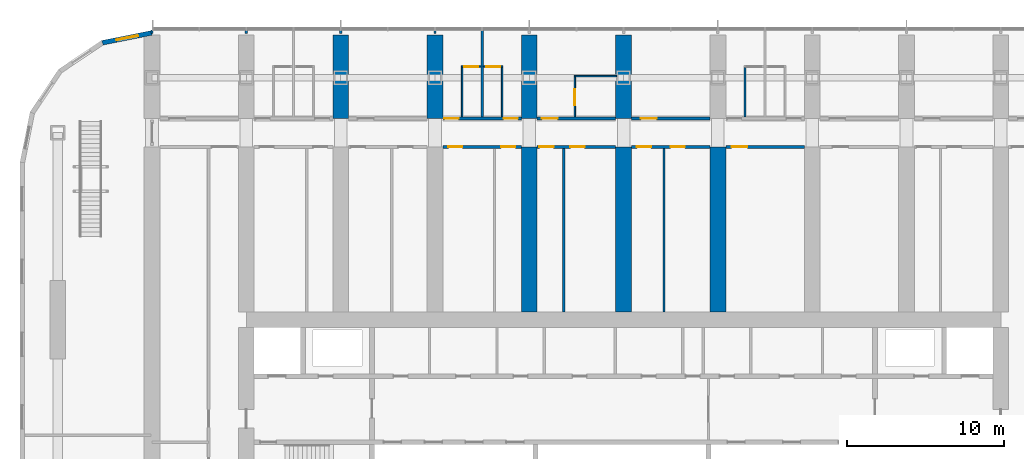
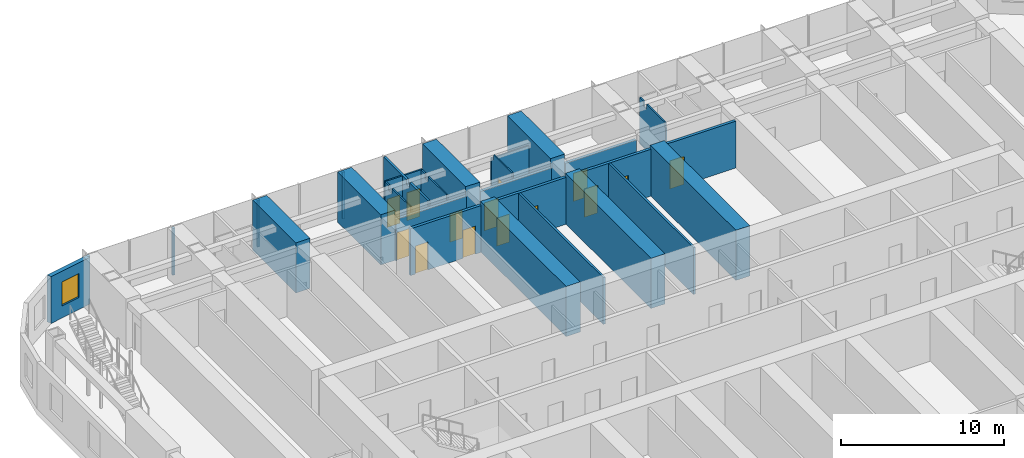
# One storey, part 17 of 26: 29 walls, 14 doors, 1 window, 15 openings.
"""IFC4 building model written with IfcOpenShell, lengths in metres."""

from ifc_helpers import new_model, si_unit, direction, frame, frame_2d, origin, place, context, subcontext, project, spatial, polyline, rectangle, outline, extrude, material, layer, layer_set, type_object, element, fill, save


model = new_model("IFC4")

# Units and contexts
model_context = context("Model", 3, precision=1e-05, world=origin(), true_north=direction((0.0, 1.0)))
body_context = subcontext(model_context, "Body", "Model", "MODEL_VIEW")
ifc_project = project(units=[si_unit("LENGTHUNIT", "METRE"), si_unit("AREAUNIT", "SQUARE_METRE"), si_unit("VOLUMEUNIT", "CUBIC_METRE"), si_unit("PLANEANGLEUNIT", "RADIAN"), si_unit("MASSUNIT", "GRAM", prefix="KILO")], contexts=[model_context])

# Site, building, storey
site_placement = place(None, origin())
site = spatial("IfcSite", under=ifc_project, at=site_placement, CompositionType="ELEMENT")
building_placement = place(site_placement, origin())
building = spatial("IfcBuilding", under=site, at=building_placement, Name="Orbita Commons", CompositionType="ELEMENT")
storey_placement = place(building_placement, frame((0.0, 0.0, 53.949951171875)))
storey = spatial("IfcBuildingStorey", under=building, at=storey_placement, Name="L13", CompositionType="ELEMENT", Elevation=53.949951171875)

# Wall, openings, doors
ifc_material_1 = material(Name="Concrete blockwork", Category="masonry")
ifc_layer_1 = layer(ifc_material_1, 0.199951171875)
ifc_layer_set_1 = layer_set([ifc_layer_1], Name="Concrete blockwork")
wall_type_1 = type_object("IfcWallType", Name="Corridor wall 200 blockwork", PredefinedType="SOLIDWALL", material=ifc_layer_set_1)
wall_1_placement = place(storey_placement, frame((30.5, 51.0, 0.0), z_axis=(0.0, 0.0, 1.0), x_axis=(1.0, 0.0, 0.0)))
wall_1 = element("IfcWall", 1, at=wall_1_placement, inside=storey, type_object=wall_type_1, Name="Corridor wall 200 blockwork L13", PredefinedType="SOLIDWALL", context=body_context, shape_type="SweptSolid", body=[
    extrude(outline(polyline([(0.0, 0.0), (5.0, 0.0), (5.0, 3.10009765625), (0.0, 3.10009765625), (0.0, 0.0)])), frame((0.0, 0.10009765625, 0.0), z_axis=(0.0, -1.0, 0.0), x_axis=(1.0, 0.0, 0.0)), (0.0, 0.0, 1.0), 0.199951171875),
])
opening_1_placement = place(wall_1_placement, frame((0.10009765625, 0.0, 0.0)))
opening_1 = element("IfcOpeningElement", 2, at=opening_1_placement, cuts=wall_1, Name="Opening D11", PredefinedType="OPENING", context=body_context, shape_type="SweptSolid", body=[
    extrude(rectangle(XDim=0.89990234375, YDim=2.10009765625, at=frame_2d((0.449951171875, 1.050048828125))), frame((0.0, 0.10986328125, 0.0), z_axis=(0.0, -1.0, 0.0), x_axis=(1.0, 0.0, 0.0)), (0.0, 0.0, 1.0), 0.219970703125),
])
opening_2_placement = place(wall_1_placement, frame((3.875, 0.0, 0.0)))
opening_2 = element("IfcOpeningElement", 3, at=opening_2_placement, cuts=wall_1, Name="Opening D11", PredefinedType="OPENING", context=body_context, shape_type="SweptSolid", body=[
    extrude(rectangle(XDim=0.89990234375, YDim=2.10009765625, at=frame_2d((0.449951171875, 1.050048828125))), frame((0.0, 0.10986328125, 0.0), z_axis=(0.0, -1.0, 0.0), x_axis=(1.0, 0.0, 0.0)), (0.0, 0.0, 1.0), 0.219970703125),
])
ifc_material_2 = material(Name="Steel-faced fire door leaf", Category="steel")
door_type_1 = type_object("IfcDoorType", Name="Corridor door 20 min 900x2100", OperationType="SINGLE_SWING_LEFT", PredefinedType="DOOR", material=ifc_material_2)
door_1_placement = place(opening_1_placement, origin())
door_1 = element("IfcDoor", 4, at=door_1_placement, inside=storey, type_object=door_type_1, Name="House bedroom L13-N06 door", OperationType="SINGLE_SWING_LEFT", OverallHeight=2.10009765625, OverallWidth=0.89990234375, PredefinedType="DOOR", context=body_context, shape_type="SweptSolid", body=[
    extrude(rectangle(XDim=0.89990234375, YDim=2.10009765625, at=frame_2d((0.449951171875, 1.050048828125))), frame((0.0, 0.02490234375, 0.0), z_axis=(0.0, -1.0, 0.0), x_axis=(1.0, 0.0, 0.0)), (0.0, 0.0, 1.0), 0.050048828125),
])
fill(opening_1, door_1)
door_2_placement = place(opening_2_placement, origin())
door_2 = element("IfcDoor", 5, at=door_2_placement, inside=storey, type_object=door_type_1, Name="House bedroom L13-N07 door", OperationType="SINGLE_SWING_LEFT", OverallHeight=2.10009765625, OverallWidth=0.89990234375, PredefinedType="DOOR", context=body_context, shape_type="SweptSolid", body=[
    extrude(rectangle(XDim=0.89990234375, YDim=2.10009765625, at=frame_2d((0.449951171875, 1.050048828125))), frame((0.0, 0.02490234375, 0.0), z_axis=(0.0, -1.0, 0.0), x_axis=(1.0, 0.0, 0.0)), (0.0, 0.0, 1.0), 0.050048828125),
])
fill(opening_2, door_2)

# Wall, opening, door
wall_2_placement = place(storey_placement, frame((36.5, 51.0, 0.0), z_axis=(0.0, 0.0, 1.0), x_axis=(1.0, 0.0, 0.0)))
wall_2 = element("IfcWall", 6, at=wall_2_placement, inside=storey, type_object=wall_type_1, Name="Corridor wall 200 blockwork L13", PredefinedType="SOLIDWALL", context=body_context, shape_type="SweptSolid", body=[
    extrude(outline(polyline([(0.0, 0.0), (5.0, 0.0), (5.0, 3.10009765625), (0.0, 3.10009765625), (0.0, 0.0)])), frame((0.0, 0.10009765625, 0.0), z_axis=(0.0, -1.0, 0.0), x_axis=(1.0, 0.0, 0.0)), (0.0, 0.0, 1.0), 0.199951171875),
])
opening_3_placement = place(wall_2_placement, frame((0.300048828125, 0.0, 0.0)))
opening_3 = element("IfcOpeningElement", 7, at=opening_3_placement, cuts=wall_2, Name="Opening D06", PredefinedType="OPENING", context=body_context, shape_type="SweptSolid", body=[
    extrude(rectangle(XDim=1.0, YDim=2.10009765625, at=frame_2d((0.5, 1.050048828125))), frame((0.0, 0.10986328125, 0.0), z_axis=(0.0, -1.0, 0.0), x_axis=(1.0, 0.0, 0.0)), (0.0, 0.0, 1.0), 0.219970703125),
])
ifc_material_3 = material(Name="Steel-faced fire door leaf", Category="steel")
door_type_2 = type_object("IfcDoorType", Name="Corridor door 20 min 1000x2100", OperationType="SINGLE_SWING_LEFT", PredefinedType="DOOR", material=ifc_material_3)
door_3_placement = place(opening_3_placement, origin())
door_3 = element("IfcDoor", 8, at=door_3_placement, inside=storey, type_object=door_type_2, Name="Accessible bedroom L13-N08 door", OperationType="SINGLE_SWING_LEFT", OverallHeight=2.10009765625, OverallWidth=1.0, PredefinedType="DOOR", context=body_context, shape_type="SweptSolid", body=[
    extrude(rectangle(XDim=1.0, YDim=2.10009765625, at=frame_2d((0.5, 1.050048828125))), frame((0.0, 0.02490234375, 0.0), z_axis=(0.0, -1.0, 0.0), x_axis=(1.0, 0.0, 0.0)), (0.0, 0.0, 1.0), 0.050048828125),
])
fill(opening_3, door_3)

wall_3_placement = place(storey_placement, frame((42.5, 51.0, 0.0), z_axis=(0.0, 0.0, 1.0), x_axis=(1.0, 0.0, 0.0)))
wall_3 = element("IfcWall", 9, at=wall_3_placement, inside=storey, type_object=wall_type_1, Name="Corridor wall 200 blockwork L13", PredefinedType="SOLIDWALL", context=body_context, shape_type="SweptSolid", body=[
    extrude(outline(polyline([(0.0, 0.0), (5.0, 0.0), (5.0, 3.10009765625), (0.0, 3.10009765625), (0.0, 0.0)])), frame((0.0, 0.10009765625, 0.0), z_axis=(0.0, -1.0, 0.0), x_axis=(1.0, 0.0, 0.0)), (0.0, 0.0, 1.0), 0.199951171875),
])
opening_4_placement = place(wall_3_placement, frame((0.60009765625, 0.0, 0.0)))
opening_4 = element("IfcOpeningElement", 10, at=opening_4_placement, cuts=wall_3, Name="Opening D06", PredefinedType="OPENING", context=body_context, shape_type="SweptSolid", body=[
    extrude(rectangle(XDim=1.0, YDim=2.10009765625, at=frame_2d((0.5, 1.050048828125))), frame((0.0, 0.10986328125, 0.0), z_axis=(0.0, -1.0, 0.0), x_axis=(1.0, 0.0, 0.0)), (0.0, 0.0, 1.0), 0.219970703125),
])
door_4_placement = place(opening_4_placement, origin())
door_4 = element("IfcDoor", 11, at=door_4_placement, inside=storey, type_object=door_type_2, Name="House common room L13-N10 door", OperationType="SINGLE_SWING_LEFT", OverallHeight=2.10009765625, OverallWidth=1.0, PredefinedType="DOOR", context=body_context, shape_type="SweptSolid", body=[
    extrude(rectangle(XDim=1.0, YDim=2.10009765625, at=frame_2d((0.5, 1.050048828125))), frame((0.0, 0.02490234375, 0.0), z_axis=(0.0, -1.0, 0.0), x_axis=(1.0, 0.0, 0.0)), (0.0, 0.0, 1.0), 0.050048828125),
])
fill(opening_4, door_4)

# Wall, openings, doors
ifc_material_4 = material(Name="Hollow concrete block 200", Category="concrete")
ifc_layer_2 = layer(ifc_material_4, 0.199951171875)
ifc_layer_set_2 = layer_set([ifc_layer_2], Name="Hollow concrete block 200")
wall_type_2 = type_object("IfcWallType", Name="Corridor wall 200 hollow concrete block", PredefinedType="SOLIDWALL", material=ifc_layer_set_2)
wall_4_placement = place(storey_placement, frame((30.5, 49.199951171875, 0.0), z_axis=(0.0, 0.0, 1.0), x_axis=(1.0, 0.0, 0.0)))
wall_4 = element("IfcWall", 12, at=wall_4_placement, inside=storey, type_object=wall_type_2, Name="Corridor wall 200 hollow concrete block L13", PredefinedType="SOLIDWALL", context=body_context, shape_type="SweptSolid", body=[
    extrude(rectangle(XDim=5.0, YDim=0.199951171875, at=frame_2d((2.5, 0.0))), origin(), (0.0, 0.0, 1.0), 3.5),
])
opening_5_placement = place(wall_4_placement, frame((0.35009765625, 0.0, 0.0)))
opening_5 = element("IfcOpeningElement", 13, at=opening_5_placement, cuts=wall_4, Name="Opening D11", PredefinedType="OPENING", context=body_context, shape_type="SweptSolid", body=[
    extrude(rectangle(XDim=0.89990234375, YDim=2.10009765625, at=frame_2d((0.449951171875, 1.050048828125))), frame((0.0, 0.10986328125, 0.0), z_axis=(0.0, -1.0, 0.0), x_axis=(1.0, 0.0, 0.0)), (0.0, 0.0, 1.0), 0.219970703125),
])
opening_6_placement = place(wall_4_placement, frame((3.7099609375, 0.0, 0.0)))
opening_6 = element("IfcOpeningElement", 14, at=opening_6_placement, cuts=wall_4, Name="Opening D11", PredefinedType="OPENING", context=body_context, shape_type="SweptSolid", body=[
    extrude(rectangle(XDim=0.89990234375, YDim=2.10009765625, at=frame_2d((0.449951171875, 1.050048828125))), frame((0.0, 0.10986328125, 0.0), z_axis=(0.0, -1.0, 0.0), x_axis=(1.0, 0.0, 0.0)), (0.0, 0.0, 1.0), 0.219970703125),
])
door_5_placement = place(opening_5_placement, origin())
door_5 = element("IfcDoor", 15, at=door_5_placement, inside=storey, type_object=door_type_1, Name="Ventilation plant room north L13-BDN30 door", OperationType="SINGLE_SWING_LEFT", OverallHeight=2.10009765625, OverallWidth=0.89990234375, PredefinedType="DOOR", context=body_context, shape_type="SweptSolid", body=[
    extrude(rectangle(XDim=0.89990234375, YDim=2.10009765625, at=frame_2d((0.449951171875, 1.050048828125))), frame((0.0, 0.02490234375, 0.0), z_axis=(0.0, -1.0, 0.0), x_axis=(1.0, 0.0, 0.0)), (0.0, 0.0, 1.0), 0.050048828125),
])
fill(opening_5, door_5)
door_6_placement = place(opening_6_placement, origin())
door_6 = element("IfcDoor", 16, at=door_6_placement, inside=storey, type_object=door_type_1, Name="Battery and UPS room L13-BDN30n door", OperationType="SINGLE_SWING_LEFT", OverallHeight=2.10009765625, OverallWidth=0.89990234375, PredefinedType="DOOR", context=body_context, shape_type="SweptSolid", body=[
    extrude(rectangle(XDim=0.89990234375, YDim=2.10009765625, at=frame_2d((0.449951171875, 1.050048828125))), frame((0.0, 0.02490234375, 0.0), z_axis=(0.0, -1.0, 0.0), x_axis=(1.0, 0.0, 0.0)), (0.0, 0.0, 1.0), 0.050048828125),
])
fill(opening_6, door_6)

wall_5_placement = place(storey_placement, frame((36.5, 49.199951171875, 0.0), z_axis=(0.0, 0.0, 1.0), x_axis=(1.0, 0.0, 0.0)))
wall_5 = element("IfcWall", 17, at=wall_5_placement, inside=storey, type_object=wall_type_2, Name="Corridor wall 200 hollow concrete block L13", PredefinedType="SOLIDWALL", context=body_context, shape_type="SweptSolid", body=[
    extrude(rectangle(XDim=5.0, YDim=0.199951171875, at=frame_2d((2.5, 0.0))), origin(), (0.0, 0.0, 1.0), 3.5),
])
opening_7_placement = place(wall_5_placement, frame((0.14990234375, 0.0, 0.0)))
opening_7 = element("IfcOpeningElement", 18, at=opening_7_placement, cuts=wall_5, Name="Opening D11", PredefinedType="OPENING", context=body_context, shape_type="SweptSolid", body=[
    extrude(rectangle(XDim=0.89990234375, YDim=2.10009765625, at=frame_2d((0.449951171875, 1.050048828125))), frame((0.0, 0.10986328125, 0.0), z_axis=(0.0, -1.0, 0.0), x_axis=(1.0, 0.0, 0.0)), (0.0, 0.0, 1.0), 0.219970703125),
])
opening_8_placement = place(wall_5_placement, frame((2.1201171875, 0.0, 0.0)))
opening_8 = element("IfcOpeningElement", 19, at=opening_8_placement, cuts=wall_5, Name="Opening D11", PredefinedType="OPENING", context=body_context, shape_type="SweptSolid", body=[
    extrude(rectangle(XDim=0.89990234375, YDim=2.10009765625, at=frame_2d((0.449951171875, 1.050048828125))), frame((0.0, 0.10986328125, 0.0), z_axis=(0.0, -1.0, 0.0), x_axis=(1.0, 0.0, 0.0)), (0.0, 0.0, 1.0), 0.219970703125),
])
door_7_placement = place(opening_7_placement, origin())
door_7 = element("IfcDoor", 20, at=door_7_placement, inside=storey, type_object=door_type_1, Name="Sprinkler valve room L13-BDN36n door", OperationType="SINGLE_SWING_LEFT", OverallHeight=2.10009765625, OverallWidth=0.89990234375, PredefinedType="DOOR", context=body_context, shape_type="SweptSolid", body=[
    extrude(rectangle(XDim=0.89990234375, YDim=2.10009765625, at=frame_2d((0.449951171875, 1.050048828125))), frame((0.0, 0.02490234375, 0.0), z_axis=(0.0, -1.0, 0.0), x_axis=(1.0, 0.0, 0.0)), (0.0, 0.0, 1.0), 0.050048828125),
])
fill(opening_7, door_7)
door_8_placement = place(opening_8_placement, origin())
door_8 = element("IfcDoor", 21, at=door_8_placement, inside=storey, type_object=door_type_1, Name="Furniture store L13-BDN36 door", OperationType="SINGLE_SWING_LEFT", OverallHeight=2.10009765625, OverallWidth=0.89990234375, PredefinedType="DOOR", context=body_context, shape_type="SweptSolid", body=[
    extrude(rectangle(XDim=0.89990234375, YDim=2.10009765625, at=frame_2d((0.449951171875, 1.050048828125))), frame((0.0, 0.02490234375, 0.0), z_axis=(0.0, -1.0, 0.0), x_axis=(1.0, 0.0, 0.0)), (0.0, 0.0, 1.0), 0.050048828125),
])
fill(opening_8, door_8)

wall_6_placement = place(storey_placement, frame((42.5, 49.199951171875, 0.0), z_axis=(0.0, 0.0, 1.0), x_axis=(1.0, 0.0, 0.0)))
wall_6 = element("IfcWall", 22, at=wall_6_placement, inside=storey, type_object=wall_type_2, Name="Corridor wall 200 hollow concrete block L13", PredefinedType="SOLIDWALL", context=body_context, shape_type="SweptSolid", body=[
    extrude(rectangle(XDim=5.0, YDim=0.199951171875, at=frame_2d((2.5, 0.0))), origin(), (0.0, 0.0, 1.0), 3.5),
])
opening_9_placement = place(wall_6_placement, frame((0.35009765625, 0.0, 0.0)))
opening_9 = element("IfcOpeningElement", 23, at=opening_9_placement, cuts=wall_6, Name="Opening D11", PredefinedType="OPENING", context=body_context, shape_type="SweptSolid", body=[
    extrude(rectangle(XDim=0.89990234375, YDim=2.10009765625, at=frame_2d((0.449951171875, 1.050048828125))), frame((0.0, 0.10986328125, 0.0), z_axis=(0.0, -1.0, 0.0), x_axis=(1.0, 0.0, 0.0)), (0.0, 0.0, 1.0), 0.219970703125),
])
opening_10_placement = place(wall_6_placement, frame((2.4951171875, 0.0, 0.0)))
opening_10 = element("IfcOpeningElement", 24, at=opening_10_placement, cuts=wall_6, Name="Opening D11", PredefinedType="OPENING", context=body_context, shape_type="SweptSolid", body=[
    extrude(rectangle(XDim=0.89990234375, YDim=2.10009765625, at=frame_2d((0.449951171875, 1.050048828125))), frame((0.0, 0.10986328125, 0.0), z_axis=(0.0, -1.0, 0.0), x_axis=(1.0, 0.0, 0.0)), (0.0, 0.0, 1.0), 0.219970703125),
])
door_9_placement = place(opening_9_placement, origin())
door_9 = element("IfcDoor", 25, at=door_9_placement, inside=storey, type_object=door_type_1, Name="Battery and UPS room L13-BDN42n door", OperationType="SINGLE_SWING_LEFT", OverallHeight=2.10009765625, OverallWidth=0.89990234375, PredefinedType="DOOR", context=body_context, shape_type="SweptSolid", body=[
    extrude(rectangle(XDim=0.89990234375, YDim=2.10009765625, at=frame_2d((0.449951171875, 1.050048828125))), frame((0.0, 0.02490234375, 0.0), z_axis=(0.0, -1.0, 0.0), x_axis=(1.0, 0.0, 0.0)), (0.0, 0.0, 1.0), 0.050048828125),
])
fill(opening_9, door_9)
door_10_placement = place(opening_10_placement, origin())
door_10 = element("IfcDoor", 26, at=door_10_placement, inside=storey, type_object=door_type_1, Name="Bulk and luggage store L13-BDN42 door", OperationType="SINGLE_SWING_LEFT", OverallHeight=2.10009765625, OverallWidth=0.89990234375, PredefinedType="DOOR", context=body_context, shape_type="SweptSolid", body=[
    extrude(rectangle(XDim=0.89990234375, YDim=2.10009765625, at=frame_2d((0.449951171875, 1.050048828125))), frame((0.0, 0.02490234375, 0.0), z_axis=(0.0, -1.0, 0.0), x_axis=(1.0, 0.0, 0.0)), (0.0, 0.0, 1.0), 0.050048828125),
])
fill(opening_10, door_10)

# Wall, opening, door
wall_7_placement = place(storey_placement, frame((48.5, 49.199951171875, 0.0), z_axis=(0.0, 0.0, 1.0), x_axis=(1.0, 0.0, 0.0)))
wall_7 = element("IfcWall", 27, at=wall_7_placement, inside=storey, type_object=wall_type_2, Name="Corridor wall 200 hollow concrete block L13", PredefinedType="SOLIDWALL", context=body_context, shape_type="SweptSolid", body=[
    extrude(rectangle(XDim=5.0, YDim=0.199951171875, at=frame_2d((2.5, 0.0))), origin(), (0.0, 0.0, 1.0), 3.5),
])
opening_11_placement = place(wall_7_placement, frame((0.375, 0.0, 0.0)))
opening_11 = element("IfcOpeningElement", 28, at=opening_11_placement, cuts=wall_7, Name="Opening D06", PredefinedType="OPENING", context=body_context, shape_type="SweptSolid", body=[
    extrude(rectangle(XDim=1.0, YDim=2.10009765625, at=frame_2d((0.5, 1.050048828125))), frame((0.0, 0.10986328125, 0.0), z_axis=(0.0, -1.0, 0.0), x_axis=(1.0, 0.0, 0.0)), (0.0, 0.0, 1.0), 0.219970703125),
])
door_11_placement = place(opening_11_placement, origin())
door_11 = element("IfcDoor", 29, at=door_11_placement, inside=storey, type_object=door_type_2, Name="IT and print room L13-BDN48 door", OperationType="SINGLE_SWING_LEFT", OverallHeight=2.10009765625, OverallWidth=1.0, PredefinedType="DOOR", context=body_context, shape_type="SweptSolid", body=[
    extrude(rectangle(XDim=1.0, YDim=2.10009765625, at=frame_2d((0.5, 1.050048828125))), frame((0.0, 0.02490234375, 0.0), z_axis=(0.0, -1.0, 0.0), x_axis=(1.0, 0.0, 0.0)), (0.0, 0.0, 1.0), 0.050048828125),
])
fill(opening_11, door_11)

# Walls
ifc_material_5 = material(Name="Concrete C50/60", Category="concrete")
ifc_layer_3 = layer(ifc_material_5, 1.0)
ifc_layer_set_3 = layer_set([ifc_layer_3], Name="Concrete C50/60")
wall_type_3 = type_object("IfcWallType", Name="Cross wall 1000 C50/60", PredefinedType="SHEAR", material=ifc_layer_set_3)
for number, where, z_axis, x_axis, name in (
    (30, (24.0, 51.0, 0.0), (0.0, 0.0, 1.0), (0.0, 1.0, 0.0), "Cross wall 5 north outer L13"),
    (31, (30.0, 51.0, 0.0), (0.0, 0.0, 1.0), (0.0, 1.0, 0.0), "Cross wall 6 north outer L13"),
    (32, (36.0, 51.0, 0.0), (0.0, 0.0, 1.0), (0.0, 1.0, 0.0), "Cross wall 7 north outer L13"),
):
    element("IfcWall", number, at=place(storey_placement, frame(where, z_axis=z_axis, x_axis=x_axis)), inside=storey, type_object=wall_type_3, Name=name, PredefinedType="SHEAR", context=body_context, shape_type="SweptSolid", body=[
        extrude(rectangle(XDim=5.300048828125, YDim=1.0, at=frame_2d((2.64990234375, 0.0))), origin(), (0.0, 0.0, 1.0), 3.75),
    ])
wall_8_placement = place(storey_placement, frame((36.0, 38.699951171875, 0.0), z_axis=(0.0, 0.0, 1.0), x_axis=(0.0, 1.0, 0.0)))
element("IfcWall", 33, at=wall_8_placement, inside=storey, type_object=wall_type_3, Name="Cross wall 7 north inner L13", PredefinedType="SHEAR", context=body_context, shape_type="SweptSolid", body=[
    extrude(rectangle(XDim=10.5, YDim=1.0, at=frame_2d((5.25, 0.0))), origin(), (0.0, 0.0, 1.0), 3.75),
])
wall_9_placement = place(storey_placement, frame((42.0, 51.0, 0.0), z_axis=(0.0, 0.0, 1.0), x_axis=(0.0, 1.0, 0.0)))
element("IfcWall", 34, at=wall_9_placement, inside=storey, type_object=wall_type_3, Name="Cross wall 8 north outer L13", PredefinedType="SHEAR", context=body_context, shape_type="SweptSolid", body=[
    extrude(rectangle(XDim=5.300048828125, YDim=1.0, at=frame_2d((2.64990234375, 0.0))), origin(), (0.0, 0.0, 1.0), 3.75),
])
for number, where, z_axis, x_axis, name in (
    (35, (42.0, 38.699951171875, 0.0), (0.0, 0.0, 1.0), (0.0, 1.0, 0.0), "Cross wall 8 north inner L13"),
    (36, (48.0, 38.699951171875, 0.0), (0.0, 0.0, 1.0), (0.0, 1.0, 0.0), "Cross wall 9 north inner L13"),
):
    element("IfcWall", number, at=place(storey_placement, frame(where, z_axis=z_axis, x_axis=x_axis)), inside=storey, type_object=wall_type_3, Name=name, PredefinedType="SHEAR", context=body_context, shape_type="SweptSolid", body=[
        extrude(rectangle(XDim=10.5, YDim=1.0, at=frame_2d((5.25, 0.0))), origin(), (0.0, 0.0, 1.0), 3.75),
    ])

# Wall, opening, door
ifc_material_6 = material(Name="Moisture-resistant plasterboard on steel studs", Category="steel")
ifc_layer_4 = layer(ifc_material_6, 0.10009765625)
ifc_layer_set_4 = layer_set([ifc_layer_4], Name="Moisture-resistant plasterboard on steel studs")
wall_type_4 = type_object("IfcWallType", Name="En-suite partition 100", PredefinedType="PARTITIONING", material=ifc_layer_set_4)
wall_10_placement = place(storey_placement, frame((31.675048828125, 54.300048828125, 0.0), z_axis=(0.0, 0.0, 1.0), x_axis=(1.0, 0.0, 0.0)))
wall_10 = element("IfcWall", 37, at=wall_10_placement, inside=storey, type_object=wall_type_4, Name="En-suite partition 100 L13", PredefinedType="PARTITIONING", context=body_context, shape_type="SweptSolid", body=[
    extrude(rectangle(XDim=1.25, YDim=0.10009765625, at=frame_2d((0.625, 0.0))), origin(), (0.0, 0.0, 1.0), 3.5),
])
opening_12_placement = place(wall_10_placement, frame((0.175048828125, 0.0, 0.0)))
opening_12 = element("IfcOpeningElement", 38, at=opening_12_placement, cuts=wall_10, Name="Opening D09", PredefinedType="OPENING", context=body_context, shape_type="SweptSolid", body=[
    extrude(rectangle(XDim=0.89990234375, YDim=2.10009765625, at=frame_2d((0.449951171875, 1.050048828125))), frame((0.0, 0.06005859375, 0.0), z_axis=(0.0, -1.0, 0.0), x_axis=(1.0, 0.0, 0.0)), (0.0, 0.0, 1.0), 0.1201171875),
])
ifc_material_7 = material(Name="Laminated timber door leaf", Category="wood")
door_type_3 = type_object("IfcDoorType", Name="En-suite door 900x2100", OperationType="SINGLE_SWING_RIGHT", PredefinedType="DOOR", material=ifc_material_7)
door_12_placement = place(opening_12_placement, origin())
door_12 = element("IfcDoor", 39, at=door_12_placement, inside=storey, type_object=door_type_3, Name="En-suite L13-N06 door", OperationType="SINGLE_SWING_RIGHT", OverallHeight=2.10009765625, OverallWidth=0.89990234375, PredefinedType="DOOR", context=body_context, shape_type="SweptSolid", body=[
    extrude(rectangle(XDim=0.89990234375, YDim=2.10009765625, at=frame_2d((0.449951171875, 1.050048828125))), frame((0.0, 0.02490234375, 0.0), z_axis=(0.0, -1.0, 0.0), x_axis=(1.0, 0.0, 0.0)), (0.0, 0.0, 1.0), 0.050048828125),
])
fill(opening_12, door_12)

# Wall
wall_11_placement = place(storey_placement, frame((31.72509765625, 54.25, 0.0), z_axis=(0.0, 0.0, 1.0), x_axis=(0.0, -1.0, 0.0)))
element("IfcWall", 40, at=wall_11_placement, inside=storey, type_object=wall_type_4, Name="En-suite partition 100 L13", PredefinedType="PARTITIONING", context=body_context, shape_type="SweptSolid", body=[
    extrude(outline(polyline([(0.0, 0.0), (3.14990234375, 0.0), (3.14990234375, 3.10009765625), (3.10205078125, 3.10009765625), (3.10009765625, 3.5), (0.85205078125, 3.5), (0.85009765625, 3.10009765625), (0.451904296875, 3.10009765625), (0.449951171875, 3.5), (0.0, 3.5), (0.0, 0.0)])), frame((0.0, 0.050048828125, 0.0), z_axis=(0.0, -1.0, 0.0), x_axis=(1.0, 0.0, 0.0)), (0.0, 0.0, 1.0), 0.10009765625),
])

# Wall, opening, door
wall_12_placement = place(storey_placement, frame((33.074951171875, 54.300048828125, 0.0), z_axis=(0.0, 0.0, 1.0), x_axis=(1.0, 0.0, 0.0)))
wall_12 = element("IfcWall", 41, at=wall_12_placement, inside=storey, type_object=wall_type_4, Name="En-suite partition 100 L13", PredefinedType="PARTITIONING", context=body_context, shape_type="SweptSolid", body=[
    extrude(rectangle(XDim=1.25, YDim=0.10009765625, at=frame_2d((0.625, 0.0))), origin(), (0.0, 0.0, 1.0), 3.5),
])
opening_13_placement = place(wall_12_placement, frame((0.175048828125, 0.0, 0.0)))
opening_13 = element("IfcOpeningElement", 42, at=opening_13_placement, cuts=wall_12, Name="Opening D09", PredefinedType="OPENING", context=body_context, shape_type="SweptSolid", body=[
    extrude(rectangle(XDim=0.89990234375, YDim=2.10009765625, at=frame_2d((0.449951171875, 1.050048828125))), frame((0.0, 0.06005859375, 0.0), z_axis=(0.0, -1.0, 0.0), x_axis=(1.0, 0.0, 0.0)), (0.0, 0.0, 1.0), 0.1201171875),
])
door_13_placement = place(opening_13_placement, origin())
door_13 = element("IfcDoor", 43, at=door_13_placement, inside=storey, type_object=door_type_3, Name="En-suite L13-N07 door", OperationType="SINGLE_SWING_RIGHT", OverallHeight=2.10009765625, OverallWidth=0.89990234375, PredefinedType="DOOR", context=body_context, shape_type="SweptSolid", body=[
    extrude(rectangle(XDim=0.89990234375, YDim=2.10009765625, at=frame_2d((0.449951171875, 1.050048828125))), frame((0.0, 0.02490234375, 0.0), z_axis=(0.0, -1.0, 0.0), x_axis=(1.0, 0.0, 0.0)), (0.0, 0.0, 1.0), 0.050048828125),
])
fill(opening_13, door_13)

# Walls
wall_13_placement = place(storey_placement, frame((34.27490234375, 54.25, 0.0), z_axis=(0.0, 0.0, 1.0), x_axis=(0.0, -1.0, 0.0)))
element("IfcWall", 44, at=wall_13_placement, inside=storey, type_object=wall_type_4, Name="En-suite partition 100 L13", PredefinedType="PARTITIONING", context=body_context, shape_type="SweptSolid", body=[
    extrude(outline(polyline([(0.0, 0.0), (3.14990234375, 0.0), (3.14990234375, 3.10009765625), (3.10205078125, 3.10009765625), (3.10009765625, 3.5), (0.85205078125, 3.5), (0.85009765625, 3.10009765625), (0.451904296875, 3.10009765625), (0.449951171875, 3.5), (0.0, 3.5), (0.0, 0.0)])), frame((0.0, 0.050048828125, 0.0), z_axis=(0.0, -1.0, 0.0), x_axis=(1.0, 0.0, 0.0)), (0.0, 0.0, 1.0), 0.10009765625),
])
wall_14_placement = place(storey_placement, frame((38.85009765625, 53.699951171875, 0.0), z_axis=(0.0, 0.0, 1.0), x_axis=(1.0, 0.0, 0.0)))
element("IfcWall", 45, at=wall_14_placement, inside=storey, type_object=wall_type_4, Name="En-suite partition 100 L13", PredefinedType="PARTITIONING", context=body_context, shape_type="SweptSolid", body=[
    extrude(outline(polyline([(0.0, 0.0), (2.699951171875, 0.0), (2.699951171875, 3.10009765625), (0.0, 3.10009765625), (0.0, 0.0)])), frame((0.0, 0.050048828125, 0.0), z_axis=(0.0, -1.0, 0.0), x_axis=(1.0, 0.0, 0.0)), (0.0, 0.0, 1.0), 0.10009765625),
])

# Wall, opening, door
wall_15_placement = place(storey_placement, frame((38.89990234375, 53.64990234375, 0.0), z_axis=(0.0, 0.0, 1.0), x_axis=(0.0, -1.0, 0.0)))
wall_15 = element("IfcWall", 46, at=wall_15_placement, inside=storey, type_object=wall_type_4, Name="En-suite partition 100 L13", PredefinedType="PARTITIONING", context=body_context, shape_type="SweptSolid", body=[
    extrude(outline(polyline([(0.0, 0.0), (2.5498046875, 0.0), (2.550048828125, 3.10009765625), (2.501953125, 3.10009765625), (2.5, 3.5), (0.251953125, 3.5), (0.25, 3.10009765625), (0.0, 3.10009765625), (0.0, 0.0)])), frame((0.0, 0.050048828125, 0.0), z_axis=(0.0, -1.0, 0.0), x_axis=(1.0, 0.0, 0.0)), (0.0, 0.0, 1.0), 0.10009765625),
])
opening_14_placement = place(wall_15_placement, frame((0.800048828125, 0.0, 0.0)))
opening_14 = element("IfcOpeningElement", 47, at=opening_14_placement, cuts=wall_15, Name="Opening D13", PredefinedType="OPENING", context=body_context, shape_type="SweptSolid", body=[
    extrude(rectangle(XDim=1.0, YDim=2.10009765625, at=frame_2d((0.5, 1.050048828125))), frame((0.0, 0.06005859375, 0.0), z_axis=(0.0, -1.0, 0.0), x_axis=(1.0, 0.0, 0.0)), (0.0, 0.0, 1.0), 0.1201171875),
])
ifc_material_8 = material(Name="Laminated timber door leaf", Category="wood")
door_type_4 = type_object("IfcDoorType", Name="En-suite door 1000x2100", OperationType="SINGLE_SWING_RIGHT", PredefinedType="DOOR", material=ifc_material_8)
door_14_placement = place(opening_14_placement, origin())
door_14 = element("IfcDoor", 48, at=door_14_placement, inside=storey, type_object=door_type_4, Name="Accessible shower room L13-N08 door", OperationType="SINGLE_SWING_RIGHT", OverallHeight=2.10009765625, OverallWidth=1.0, PredefinedType="DOOR", context=body_context, shape_type="SweptSolid", body=[
    extrude(rectangle(XDim=1.0, YDim=2.10009765625, at=frame_2d((0.5, 1.050048828125))), frame((0.0, 0.02490234375, 0.0), z_axis=(0.0, -1.0, 0.0), x_axis=(1.0, 0.0, 0.0)), (0.0, 0.0, 1.0), 0.050048828125),
])
fill(opening_14, door_14)

# Walls
wall_16_placement = place(storey_placement, frame((49.72509765625, 54.25, 0.0), z_axis=(0.0, 0.0, 1.0), x_axis=(0.0, -1.0, 0.0)))
element("IfcWall", 49, at=wall_16_placement, inside=storey, type_object=wall_type_4, Name="En-suite partition 100 L13", PredefinedType="PARTITIONING", context=body_context, shape_type="SweptSolid", body=[
    extrude(outline(polyline([(0.0, 0.0), (3.14990234375, 0.0), (3.14990234375, 3.10009765625), (3.10205078125, 3.10009765625), (3.10009765625, 3.5), (0.85205078125, 3.5), (0.85009765625, 3.10009765625), (0.451904296875, 3.10009765625), (0.449951171875, 3.5), (0.0, 3.5), (0.0, 0.0)])), frame((0.0, 0.050048828125, 0.0), z_axis=(0.0, -1.0, 0.0), x_axis=(1.0, 0.0, 0.0)), (0.0, 0.0, 1.0), 0.10009765625),
])
ifc_material_9 = material(Name="Gypsum plasterboard on steel studs", Category="steel")
ifc_layer_5 = layer(ifc_material_9, 0.14990234375)
ifc_layer_set_5 = layer_set([ifc_layer_5], Name="Gypsum plasterboard on steel studs")
wall_type_5 = type_object("IfcWallType", Name="Partition 150 plasterboard", PredefinedType="PARTITIONING", material=ifc_layer_set_5)
for number, where, z_axis, x_axis, name in (
    (50, (38.195068359375, 38.699951171875, 0.0), (0.0, 0.0, 1.0), (0.0, 1.0, 0.0), "Partition 150 plasterboard L13"),
    (51, (44.570068359375, 38.699951171875, 0.0), (0.0, 0.0, 1.0), (0.0, 1.0, 0.0), "Partition 150 plasterboard L13"),
):
    element("IfcWall", number, at=place(storey_placement, frame(where, z_axis=z_axis, x_axis=x_axis)), inside=storey, type_object=wall_type_5, Name=name, PredefinedType="PARTITIONING", context=body_context, shape_type="SweptSolid", body=[
        extrude(rectangle(XDim=10.400146484375, YDim=0.14990234375, at=frame_2d((5.2001953125, 0.0))), origin(), (0.0, 0.0, 1.0), 3.5),
    ])
wall_17_placement = place(storey_placement, frame((12.0, 56.39990234375, 0.0), z_axis=(0.0, 0.0, 1.0), x_axis=(0.0, 1.0, 0.0)))
element("IfcWall", 52, at=wall_17_placement, inside=storey, type_object=wall_type_5, Name="Partition 150 plasterboard L13", PredefinedType="PARTITIONING", context=body_context, shape_type="SweptSolid", body=[
    extrude(rectangle(XDim=0.22021484375, YDim=0.14990234375, at=frame_2d((0.110107421875, 0.0))), origin(), (0.0, 0.0, 1.0), 3.5),
])
for number, where, z_axis, x_axis, name in (
    (53, (18.0, 56.39990234375, 0.0), (0.0, 0.0, 1.0), (0.0, 1.0, 0.0), "Partition 150 plasterboard L13"),
    (54, (24.0, 56.39990234375, 0.0), (0.0, 0.0, 1.0), (0.0, 1.0, 0.0), "Partition 150 plasterboard L13"),
    (55, (30.0, 56.39990234375, 0.0), (0.0, 0.0, 1.0), (0.0, 1.0, 0.0), "Partition 150 plasterboard L13"),
):
    element("IfcWall", number, at=place(storey_placement, frame(where, z_axis=z_axis, x_axis=x_axis)), inside=storey, type_object=wall_type_5, Name=name, PredefinedType="PARTITIONING", context=body_context, shape_type="SweptSolid", body=[
        extrude(rectangle(XDim=0.190185546875, YDim=0.14990234375, at=frame_2d((0.09521484375, 0.0))), origin(), (0.0, 0.0, 1.0), 3.5),
    ])
ifc_material_10 = material(Name="Gypsum plasterboard on steel studs", Category="steel")
ifc_layer_6 = layer(ifc_material_10, 0.14990234375)
ifc_layer_set_6 = layer_set([ifc_layer_6], Name="Gypsum plasterboard on steel studs")
wall_type_6 = type_object("IfcWallType", Name="Party wall 150 plasterboard", PredefinedType="PARTITIONING", material=ifc_layer_set_6)
wall_18_placement = place(storey_placement, frame((33.0, 56.590087890625, 0.0), z_axis=(0.0, 0.0, 1.0), x_axis=(0.0, -1.0, 0.0)))
element("IfcWall", 56, at=wall_18_placement, inside=storey, type_object=wall_type_6, Name="Party wall 150 plasterboard L13", PredefinedType="PARTITIONING", context=body_context, shape_type="SweptSolid", body=[
    extrude(outline(polyline([(0.0, 0.0), (5.489990234375, 0.0), (5.489990234375, 3.10009765625), (5.44189453125, 3.10009765625), (5.43994140625, 3.5), (3.19189453125, 3.5), (3.18994140625, 3.10009765625), (2.7919921875, 3.10009765625), (2.7900390625, 3.5), (0.0, 3.5), (0.0, 0.0)])), frame((0.0, 0.074951171875, 0.0), z_axis=(0.0, -1.0, 0.0), x_axis=(1.0, 0.0, 0.0)), (0.0, 0.0, 1.0), 0.14990234375),
])

# Wall, opening, window
ifc_material_11 = material(Name="Precast concrete C40/50, white board-marked finish", Category="concrete")
ifc_layer_7 = layer(ifc_material_11, 0.300048828125)
ifc_layer_set_7 = layer_set([ifc_layer_7], Name="Precast concrete C40/50, white board-marked finish")
wall_type_7 = type_object("IfcWallType", Name="Precast concrete end shield 300", PredefinedType="SOLIDWALL", material=ifc_layer_set_7)
wall_19_placement = place(storey_placement, frame((12.0, 56.449951171875, 0.0), z_axis=(0.0, 0.0, 1.0), x_axis=(-0.980787251524, -0.195080412259, 0.0)))
wall_19 = element("IfcWall", 57, at=wall_19_placement, inside=storey, type_object=wall_type_7, Name="End shield NW chord 1 L13", PredefinedType="SOLIDWALL", context=body_context, shape_type="SweptSolid", body=[
    extrude(outline(polyline([(-0.02978515625, -0.14990234375), (3.24853515625, -0.14990234375), (3.18896484375, 0.14990234375), (0.02978515625, 0.14990234375), (-0.02978515625, -0.14990234375)])), origin(), (0.0, 0.0, 1.0), 3.5),
])
opening_15_placement = place(wall_19_placement, frame((0.909423828125, 0.0, 0.89990234375)))
opening_15 = element("IfcOpeningElement", 58, at=opening_15_placement, cuts=wall_19, Name="Opening W02", PredefinedType="OPENING", context=body_context, shape_type="SweptSolid", body=[
    extrude(rectangle(XDim=1.39990234375, YDim=1.800048828125, at=frame_2d((0.699951171875, 0.89990234375))), frame((0.0, 0.159912109375, 0.0), z_axis=(0.0, -1.0, 0.0), x_axis=(1.0, 0.0, 0.0)), (0.0, 0.0, 1.0), 0.320068359375),
])
ifc_material_12 = material(Name="Aluminium frame, clear double glazing", Category="aluminium")
window_type = type_object("IfcWindowType", Name="Deep-set window 1400x1800", PartitioningType="SINGLE_PANEL", PredefinedType="WINDOW", material=ifc_material_12)
window_placement = place(opening_15_placement, origin())
window = element("IfcWindow", 59, at=window_placement, inside=storey, type_object=window_type, Name="Window L13-NW0", OverallHeight=1.800048828125, OverallWidth=1.39990234375, PartitioningType="SINGLE_PANEL", PredefinedType="WINDOW", context=body_context, shape_type="SweptSolid", body=[
    extrude(rectangle(XDim=1.39990234375, YDim=1.800048828125, at=frame_2d((0.699951171875, 0.89990234375))), frame((0.0, 0.030029296875, 0.0), z_axis=(0.0, -1.0, 0.0), x_axis=(1.0, 0.0, 0.0)), (0.0, 0.0, 1.0), 0.06005859375),
])
fill(opening_15, window)

save(model, "model.ifc")
